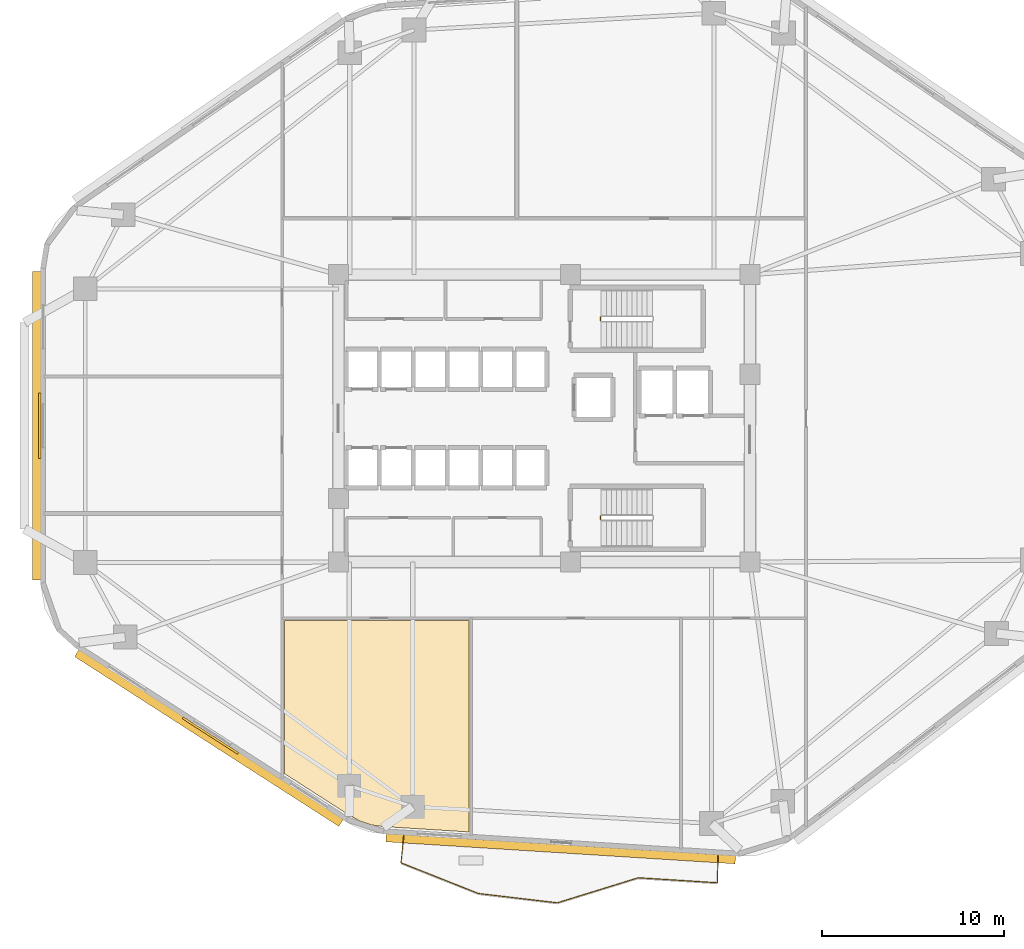
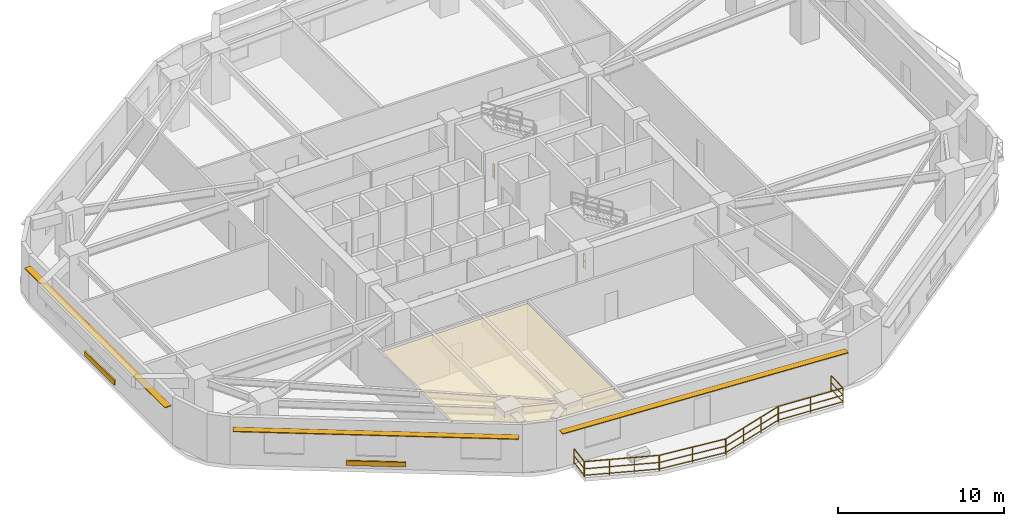
# One storey, part 6 of 8: 8 railings, 5 shading devices, 1 covering.
"""IFC4 building model written with IfcOpenShell, lengths in metres."""

import ifcopenshell
import ifcopenshell.guid

model = None  # the IFC model being written
_history = None  # IfcOwnerHistory: only IFC2X3 demands one
_inside = {}  # id of a spatial element -> (the spatial element, [elements in it])
_under = {}  # id of a project, library or spatial element -> (it, [spatial elements below it])
_declared = {}  # id of a project -> (the project, [libraries it declares])
_typed = {}  # id of a type object -> (the type object, [elements of that type])
_made_of = {}  # id of a material, layer set ... -> (it, [elements and type objects made of it])


def new_model(schema):
    """Start an empty IFC model of exactly this schema.

    Asked for "IFC4X3", IfcOpenShell would pick the latest addendum, in which some entities
    have other attributes; the version numbers below select the first issue.
    IFC2X3 requires an IfcOwnerHistory on every rooted entity: one is made here for all.
    """
    global model, _history
    if schema == "IFC4X3":
        model = ifcopenshell.file(schema_version=(4, 3, 0, 0))
    else:
        model = ifcopenshell.file(schema=schema)
    _inside.clear()
    _under.clear()
    _declared.clear()
    _typed.clear()
    _made_of.clear()
    _history = None
    if model.schema == "IFC2X3":
        org = make("IfcOrganization", Name="unknown")
        user = make(
            "IfcPersonAndOrganization",
            ThePerson=make("IfcPerson", FamilyName="unknown"),
            TheOrganization=org,
        )
        app = make(
            "IfcApplication",
            ApplicationDeveloper=org,
            Version="unknown",
            ApplicationFullName="unknown",
            ApplicationIdentifier="unknown",
        )
        _history = make(
            "IfcOwnerHistory",
            OwningUser=user,
            OwningApplication=app,
            ChangeAction="ADDED",
            CreationDate=0,
        )
    return model


def make(cls, **values):
    """One entity of the class cls with the attributes given. An attribute that is None is left unset."""
    return model.create_entity(
        cls, **{name: value for name, value in values.items() if value is not None}
    )


def rooted(cls, **values):
    """An entity with a GlobalId (a new one), such as an element, a storey or a relation."""
    return make(cls, GlobalId=ifcopenshell.guid.new(), OwnerHistory=_history, **values)


def si_unit(unit_type, name, prefix=None):
    """IfcSIUnit, for example si_unit("LENGTHUNIT", "METRE", prefix="MILLI")."""
    return make("IfcSIUnit", UnitType=unit_type, Prefix=prefix, Name=name)


def assignment(units):
    """IfcUnitAssignment: the units of a project."""
    return None if units is None else make("IfcUnitAssignment", Units=units)


def point(xyz):
    """IfcCartesianPoint."""
    return None if xyz is None else make("IfcCartesianPoint", Coordinates=xyz)


def direction(xyz):
    """IfcDirection."""
    return None if xyz is None else make("IfcDirection", DirectionRatios=xyz)


def frame(location, z_axis=None, x_axis=None):
    """IfcAxis2Placement3D, a coordinate frame: its origin and axes. An axis left out is left unset."""
    return make(
        "IfcAxis2Placement3D",
        Location=point(location),
        Axis=direction(z_axis),
        RefDirection=direction(x_axis),
    )


def frame_2d(location, x_axis=None):
    """IfcAxis2Placement2D, a coordinate frame in the plane: its origin and x axis."""
    return make(
        "IfcAxis2Placement2D", Location=point(location), RefDirection=direction(x_axis)
    )


def origin():
    """The frame at (0, 0, 0) with its axes left unset."""
    return frame((0.0, 0.0, 0.0))


def origin_2d():
    """The frame at (0, 0) in the plane with its x axis left unset."""
    return frame_2d((0.0, 0.0))


def place(relative_to, where):
    """IfcLocalPlacement: puts the frame where relative to a parent placement (None: the world)."""
    return make(
        "IfcLocalPlacement", PlacementRelTo=relative_to, RelativePlacement=where
    )


def context(
    kind, dimensions, precision=None, world=None, true_north=None, identifier=None
):
    """IfcGeometricRepresentationContext, for example the 3D "Model" context."""
    return make(
        "IfcGeometricRepresentationContext",
        ContextIdentifier=identifier,
        ContextType=kind,
        CoordinateSpaceDimension=dimensions,
        Precision=precision,
        WorldCoordinateSystem=world,
        TrueNorth=true_north,
    )


def subcontext(parent, identifier, kind, view, scale=None):
    """IfcGeometricRepresentationSubContext, for example "Body" below "Model"."""
    return make(
        "IfcGeometricRepresentationSubContext",
        ContextIdentifier=identifier,
        ContextType=kind,
        ParentContext=parent,
        TargetScale=scale,
        TargetView=view,
    )


def project(units=None, contexts=None):
    """IfcProject with its units and contexts."""
    return rooted(
        "IfcProject",
        Name="project",
        RepresentationContexts=contexts,
        UnitsInContext=assignment(units),
    )


def spatial(cls, under=None, at=None, **own):
    """A site, building, storey or space (cls), placed at a placement, below another one or the project."""
    s = rooted(cls, ObjectPlacement=at, **own)
    if under is not None:
        _under.setdefault(under.id(), (under, []))[1].append(s)
    return s


def polyline(points):
    """IfcPolyline through the points."""
    return make("IfcPolyline", Points=[point(p) for p in points])


def profile(cls, at=None, kind="AREA", **sizes):
    """A parametric profile (cls). Its sizes go by their IFC names, for example OverallWidth=200.0."""
    return make(cls, ProfileType=kind, Position=at, **sizes)


def rectangle(**sizes):
    """IfcRectangleProfileDef."""
    return profile("IfcRectangleProfileDef", **sizes)


def outline(outer, holes=None, kind="AREA"):
    """IfcArbitraryClosedProfileDef: a profile drawn as a closed curve; with holes, ...WithVoids."""
    if holes is None:
        return make("IfcArbitraryClosedProfileDef", ProfileType=kind, OuterCurve=outer)
    return make(
        "IfcArbitraryProfileDefWithVoids",
        ProfileType=kind,
        OuterCurve=outer,
        InnerCurves=holes,
    )


def extrude(swept, where, along, depth):
    """IfcExtrudedAreaSolid: the profile swept, set in the frame where, extruded along a direction by depth."""
    return make(
        "IfcExtrudedAreaSolid",
        SweptArea=swept,
        Position=where,
        ExtrudedDirection=direction(along),
        Depth=depth,
    )


def shape(context_of_items, identifier, shape_type, items):
    """IfcShapeRepresentation: the items that make up one representation, for example the "Body"."""
    return make(
        "IfcShapeRepresentation",
        ContextOfItems=context_of_items,
        RepresentationIdentifier=identifier,
        RepresentationType=shape_type,
        Items=items,
    )


def material(Name=None, Category=None):
    """IfcMaterial."""
    return make("IfcMaterial", Name=Name, Category=Category)


def layer(
    of_material, thickness, ventilated=None, Name=None, Category=None, Priority=None
):
    """IfcMaterialLayer: one layer of a wall or slab, of a material (None: an air gap)."""
    return make(
        "IfcMaterialLayer",
        Material=of_material,
        LayerThickness=thickness,
        IsVentilated=ventilated,
        Name=Name,
        Category=Category,
        Priority=Priority,
    )


def layer_set(layers, Name=None):
    """IfcMaterialLayerSet."""
    return make("IfcMaterialLayerSet", MaterialLayers=layers, LayerSetName=Name)


def made_of(thing, what):
    """Note that an element or type object is made of a material, layer set ...; save() writes the relation."""
    if what is not None:
        _made_of.setdefault(what.id(), (what, []))[1].append(thing)
    return thing


def type_object(cls, material=None, **own):
    """A type object (cls), such as IfcWallType, which elements share."""
    return made_of(rooted(cls, **own), material)


def element(
    cls,
    number,
    at=None,
    inside=None,
    cuts=None,
    type_object=None,
    material=None,
    context=None,
    identifier="Body",
    shape_type=None,
    held_by="IfcProductDefinitionShape",
    body=None,
    shapes=None,
    **own,
):
    """One element of the class cls, such as IfcWall. Its Tag is "e" and its number.

    at: its placement. inside: the storey or other place that contains it. cuts: it is an
    opening in that element (IfcRelVoidsElement). A single representation is given by context,
    identifier, shape_type and body (its items); several are given by shapes. held_by: the class
    of the entity that holds the representations. save() writes the other relations.
    """
    e = rooted(cls, Tag="e%d" % number, ObjectPlacement=at, **own)
    if body is not None:
        shapes = [shape(context, identifier, shape_type, body)]
    if shapes is not None:
        e.Representation = make(held_by, Representations=shapes)
    if inside is not None:
        _inside.setdefault(inside.id(), (inside, []))[1].append(e)
    if cuts is not None:
        rooted(
            "IfcRelVoidsElement", RelatingBuildingElement=cuts, RelatedOpeningElement=e
        )
    if type_object is not None:
        _typed.setdefault(type_object.id(), (type_object, []))[1].append(e)
    return made_of(e, material)


def aggregate(whole, parts):
    """IfcRelAggregates: a whole, such as a stair, and the parts it consists of."""
    return rooted("IfcRelAggregates", RelatingObject=whole, RelatedObjects=parts)


def save(model, path):
    """Write the relations noted so far, then the file.

    IfcRelAggregates (storeys below a building ...), IfcRelContainedInSpatialStructure (elements
    in a storey), IfcRelDefinesByType, IfcRelAssociatesMaterial and IfcRelDeclares: one each for
    every whole, place, type object, material and project.
    """
    for whole, parts in _under.values():
        aggregate(whole, parts)
    for where, things in _inside.values():
        rooted(
            "IfcRelContainedInSpatialStructure",
            RelatedElements=things,
            RelatingStructure=where,
        )
    for kind, things in _typed.values():
        rooted("IfcRelDefinesByType", RelatedObjects=things, RelatingType=kind)
    for what, things in _made_of.values():
        rooted("IfcRelAssociatesMaterial", RelatedObjects=things, RelatingMaterial=what)
    for by, libraries in _declared.values():
        rooted("IfcRelDeclares", RelatingContext=by, RelatedDefinitions=libraries)
    model.write(path)


model = new_model("IFC4")

# Units and contexts
model_context = context("Model", 3, precision=1e-05, world=origin(), true_north=direction((0.0, 1.0)))
body_context = subcontext(model_context, "Body", "Model", "MODEL_VIEW")
ifc_project = project(units=[si_unit("LENGTHUNIT", "METRE"), si_unit("AREAUNIT", "SQUARE_METRE"), si_unit("VOLUMEUNIT", "CUBIC_METRE"), si_unit("PLANEANGLEUNIT", "RADIAN"), si_unit("MASSUNIT", "GRAM", prefix="KILO")], contexts=[model_context])

# Site, building, storey
site_placement = place(None, origin())
site = spatial("IfcSite", under=ifc_project, at=site_placement, CompositionType="ELEMENT")
building_placement = place(site_placement, origin())
building = spatial("IfcBuilding", under=site, at=building_placement, Name="Zulverin Broadcast Headquarters", CompositionType="ELEMENT")
storey_placement = place(building_placement, frame((0.0, 0.0, 44.0)))
storey = spatial("IfcBuildingStorey", under=building, at=storey_placement, Name="L10", CompositionType="ELEMENT", Elevation=44.0)

# Covering
ifc_material_1 = material(Name="Perforated pale-metal acoustic baffle ceiling", Category="aluminium")
ifc_layer_1 = layer(ifc_material_1, 0.0400390625, Name="Perforated pale-metal acoustic baffle ceiling", Category="aluminium")
ifc_layer_set_1 = layer_set([ifc_layer_1], Name="Perforated pale-metal acoustic baffle ceiling")
covering_type = type_object("IfcCoveringType", Name="COV-CEIL-ACOU", PredefinedType="CEILING", material=ifc_layer_set_1)
covering_placement = place(storey_placement, frame((0.0, 0.0, 3.344970703125)))
element("IfcCovering", 1, at=covering_placement, inside=storey, type_object=covering_type, Name="L10 Acoustic Baffle Ceiling 03", PredefinedType="CEILING", context=body_context, shape_type="SweptSolid", body=[
    extrude(outline(polyline([(22.77197265625, 14.132080078125), (22.77197265625, 5.73193359375), (26.347900390625, 3.43603515625), (26.931884765625, 3.1279296875), (27.5439453125, 2.924072265625), (28.19189453125, 2.83203125), (32.8798828125, 2.535888671875), (32.8798828125, 14.132080078125), (22.77197265625, 14.132080078125)])), origin(), (0.0, 0.0, 1.0), 0.0400390625),
])

# Railings
ifc_material_2 = material(Name="Brushed stainless steel & laminated glass balustrade", Category="steel")
railing_type_1 = type_object("IfcRailingType", Name="RL-GUARD-1150", PredefinedType="GUARDRAIL", material=ifc_material_2)
railing_1_placement = place(storey_placement, frame((29.3076171875, 2.318603515625, 0.0)))
element("IfcRailing", 2, at=railing_1_placement, inside=storey, type_object=railing_type_1, Name="L10 Vertical-Forest Balcony Guardrail BAL_S Segment 01", PredefinedType="GUARDRAIL", context=body_context, shape_type="SweptSolid", body=[
    extrude(rectangle(XDim=0.048095703125, YDim=0.048095703125, at=origin_2d()), frame((0.0, 0.0, 1.1259765625), z_axis=(-0.103228615139, -0.99465765619, 0.0), x_axis=(0.99465765619, -0.103228615139, 0.0)), (0.0, 0.0, 1.0), 1.46630859375),
    extrude(rectangle(XDim=0.0419921875, YDim=0.0419921875, at=origin_2d()), frame((0.0, 0.0, 0.597900390625), z_axis=(-0.103228615139, -0.99465765619, 0.0), x_axis=(0.99465765619, -0.103228615139, 0.0)), (0.0, 0.0, 1.0), 1.46630859375),
    extrude(rectangle(XDim=0.0419921875, YDim=0.0419921875, at=origin_2d()), frame((0.0, 0.0, 0.1201171875), z_axis=(-0.103228615139, -0.99465765619, 0.0), x_axis=(0.99465765619, -0.103228615139, 0.0)), (0.0, 0.0, 1.0), 1.46630859375),
    extrude(rectangle(XDim=0.0419921875, YDim=0.0419921875, at=origin_2d()), origin(), (0.0, 0.0, 1.0), 1.101806640625),
    extrude(rectangle(XDim=0.0419921875, YDim=0.0419921875, at=origin_2d()), frame((-0.1513671875, -1.45849609375, 0.0)), (0.0, 0.0, 1.0), 1.101806640625),
])
railing_2_placement = place(storey_placement, frame((29.16845703125, 0.839599609375, 0.0)))
element("IfcRailing", 3, at=railing_2_placement, inside=storey, type_object=railing_type_1, Name="L10 Vertical-Forest Balcony Guardrail BAL_S Segment 02", PredefinedType="GUARDRAIL", context=body_context, shape_type="SweptSolid", body=[
    extrude(rectangle(XDim=0.048095703125, YDim=0.048095703125, at=origin_2d()), frame((0.0, 0.0, 1.1259765625), z_axis=(0.929703399222, -0.368309095022, 0.0), x_axis=(0.368309095022, 0.929703399222, 0.0)), (0.0, 0.0, 1.0), 4.5380859375),
    extrude(rectangle(XDim=0.0419921875, YDim=0.0419921875, at=origin_2d()), frame((0.0, 0.0, 0.597900390625), z_axis=(0.929703399222, -0.368309095022, 0.0), x_axis=(0.368309095022, 0.929703399222, 0.0)), (0.0, 0.0, 1.0), 4.5380859375),
    extrude(rectangle(XDim=0.0419921875, YDim=0.0419921875, at=origin_2d()), frame((0.0, 0.0, 0.1201171875), z_axis=(0.929703399222, -0.368309095022, 0.0), x_axis=(0.368309095022, 0.929703399222, 0.0)), (0.0, 0.0, 1.0), 4.5380859375),
    extrude(rectangle(XDim=0.0419921875, YDim=0.0419921875, at=origin_2d()), origin(), (0.0, 0.0, 1.0), 1.101806640625),
    extrude(rectangle(XDim=0.0419921875, YDim=0.0419921875, at=origin_2d()), frame((1.40625, -0.55712890625, 0.0)), (0.0, 0.0, 1.0), 1.101806640625),
    extrude(rectangle(XDim=0.0419921875, YDim=0.0419921875, at=origin_2d()), frame((2.812744140625, -1.1142578125, 0.0)), (0.0, 0.0, 1.0), 1.101806640625),
    extrude(rectangle(XDim=0.0419921875, YDim=0.0419921875, at=origin_2d()), frame((4.218994140625, -1.67138671875, 0.0)), (0.0, 0.0, 1.0), 1.101806640625),
])
railing_3_placement = place(storey_placement, frame((33.416259765625, -0.839111328125, 0.0)))
element("IfcRailing", 4, at=railing_3_placement, inside=storey, type_object=railing_type_1, Name="L10 Vertical-Forest Balcony Guardrail BAL_S Segment 03", PredefinedType="GUARDRAIL", context=body_context, shape_type="SweptSolid", body=[
    extrude(rectangle(XDim=0.048095703125, YDim=0.048095703125, at=origin_2d()), frame((0.0, 0.0, 1.1259765625), z_axis=(0.993075962684, -0.117473964519, 0.0), x_axis=(0.117473964519, 0.993075962684, 0.0)), (0.0, 0.0, 1.0), 4.32080078125),
    extrude(rectangle(XDim=0.0419921875, YDim=0.0419921875, at=origin_2d()), frame((0.0, 0.0, 0.597900390625), z_axis=(0.993075962684, -0.117473964519, 0.0), x_axis=(0.117473964519, 0.993075962684, 0.0)), (0.0, 0.0, 1.0), 4.32080078125),
    extrude(rectangle(XDim=0.0419921875, YDim=0.0419921875, at=origin_2d()), frame((0.0, 0.0, 0.1201171875), z_axis=(0.993075962684, -0.117473964519, 0.0), x_axis=(0.117473964519, 0.993075962684, 0.0)), (0.0, 0.0, 1.0), 4.32080078125),
    extrude(rectangle(XDim=0.0419921875, YDim=0.0419921875, at=origin_2d()), origin(), (0.0, 0.0, 1.0), 1.101806640625),
    extrude(rectangle(XDim=0.0419921875, YDim=0.0419921875, at=origin_2d()), frame((2.1455078125, -0.25390625, 0.0)), (0.0, 0.0, 1.0), 1.101806640625),
    extrude(rectangle(XDim=0.0419921875, YDim=0.0419921875, at=origin_2d()), frame((4.290771484375, -0.507568359375, 0.0)), (0.0, 0.0, 1.0), 1.101806640625),
])
railing_4_placement = place(storey_placement, frame((37.736328125, -1.343994140625, 0.0)))
element("IfcRailing", 5, at=railing_4_placement, inside=storey, type_object=railing_type_1, Name="L10 Vertical-Forest Balcony Guardrail BAL_S Segment 04", PredefinedType="GUARDRAIL", context=body_context, shape_type="SweptSolid", body=[
    extrude(rectangle(XDim=0.048095703125, YDim=0.048095703125, at=origin_2d()), frame((0.0, 0.0, 1.1259765625), z_axis=(0.955333175292, 0.295530919173, 0.0), x_axis=(-0.295530919173, 0.955333175292, 0.0)), (0.0, 0.0, 1.0), 4.6171875),
    extrude(rectangle(XDim=0.0419921875, YDim=0.0419921875, at=origin_2d()), frame((0.0, 0.0, 0.597900390625), z_axis=(0.955333175292, 0.295530919173, 0.0), x_axis=(-0.295530919173, 0.955333175292, 0.0)), (0.0, 0.0, 1.0), 4.6171875),
    extrude(rectangle(XDim=0.0419921875, YDim=0.0419921875, at=origin_2d()), frame((0.0, 0.0, 0.1201171875), z_axis=(0.955333175292, 0.295530919173, 0.0), x_axis=(-0.295530919173, 0.955333175292, 0.0)), (0.0, 0.0, 1.0), 4.6171875),
    extrude(rectangle(XDim=0.0419921875, YDim=0.0419921875, at=origin_2d()), origin(), (0.0, 0.0, 1.0), 1.101806640625),
    extrude(rectangle(XDim=0.0419921875, YDim=0.0419921875, at=origin_2d()), frame((1.47021484375, 0.454833984375, 0.0)), (0.0, 0.0, 1.0), 1.101806640625),
    extrude(rectangle(XDim=0.0419921875, YDim=0.0419921875, at=origin_2d()), frame((2.940673828125, 0.90966796875, 0.0)), (0.0, 0.0, 1.0), 1.101806640625),
    extrude(rectangle(XDim=0.0419921875, YDim=0.0419921875, at=origin_2d()), frame((4.410888671875, 1.364501953125, 0.0)), (0.0, 0.0, 1.0), 1.101806640625),
])
railing_5_placement = place(storey_placement, frame((42.176513671875, 0.02392578125, 0.0)))
element("IfcRailing", 6, at=railing_5_placement, inside=storey, type_object=railing_type_1, Name="L10 Vertical-Forest Balcony Guardrail BAL_S Segment 05", PredefinedType="GUARDRAIL", context=body_context, shape_type="SweptSolid", body=[
    extrude(rectangle(XDim=0.048095703125, YDim=0.048095703125, at=origin_2d()), frame((0.0, 0.0, 1.1259765625), z_axis=(0.998014521316, -0.062984245987, 0.0), x_axis=(0.062984245987, 0.998014521316, 0.0)), (0.0, 0.0, 1.0), 4.314208984375),
    extrude(rectangle(XDim=0.0419921875, YDim=0.0419921875, at=origin_2d()), frame((0.0, 0.0, 0.597900390625), z_axis=(0.998014521316, -0.062984245987, 0.0), x_axis=(0.062984245987, 0.998014521316, 0.0)), (0.0, 0.0, 1.0), 4.314208984375),
    extrude(rectangle(XDim=0.0419921875, YDim=0.0419921875, at=origin_2d()), frame((0.0, 0.0, 0.1201171875), z_axis=(0.998014521316, -0.062984245987, 0.0), x_axis=(0.062984245987, 0.998014521316, 0.0)), (0.0, 0.0, 1.0), 4.314208984375),
    extrude(rectangle(XDim=0.0419921875, YDim=0.0419921875, at=origin_2d()), origin(), (0.0, 0.0, 1.0), 1.101806640625),
    extrude(rectangle(XDim=0.0419921875, YDim=0.0419921875, at=origin_2d()), frame((2.15283203125, -0.1357421875, 0.0)), (0.0, 0.0, 1.0), 1.101806640625),
    extrude(rectangle(XDim=0.0419921875, YDim=0.0419921875, at=origin_2d()), frame((4.3056640625, -0.271728515625, 0.0)), (0.0, 0.0, 1.0), 1.101806640625),
])
railing_6_placement = place(storey_placement, frame((46.497314453125, -0.233642578125, 0.0)))
element("IfcRailing", 7, at=railing_6_placement, inside=storey, type_object=railing_type_1, Name="L10 Vertical-Forest Balcony Guardrail BAL_S Segment 06", PredefinedType="GUARDRAIL", context=body_context, shape_type="SweptSolid", body=[
    extrude(rectangle(XDim=0.048095703125, YDim=0.048095703125, at=origin_2d()), frame((0.0, 0.0, 1.1259765625), z_axis=(0.022641987457, 0.999743637341, 0.0), x_axis=(-0.999743637341, 0.022641987457, 0.0)), (0.0, 0.0, 1.0), 1.466552734375),
    extrude(rectangle(XDim=0.0419921875, YDim=0.0419921875, at=origin_2d()), frame((0.0, 0.0, 0.597900390625), z_axis=(0.022641987457, 0.999743637341, 0.0), x_axis=(-0.999743637341, 0.022641987457, 0.0)), (0.0, 0.0, 1.0), 1.466552734375),
    extrude(rectangle(XDim=0.0419921875, YDim=0.0419921875, at=origin_2d()), frame((0.0, 0.0, 0.1201171875), z_axis=(0.022641987457, 0.999743637341, 0.0), x_axis=(-0.999743637341, 0.022641987457, 0.0)), (0.0, 0.0, 1.0), 1.466552734375),
    extrude(rectangle(XDim=0.0419921875, YDim=0.0419921875, at=origin_2d()), origin(), (0.0, 0.0, 1.0), 1.101806640625),
    extrude(rectangle(XDim=0.0419921875, YDim=0.0419921875, at=origin_2d()), frame((0.033203125, 1.466064453125, 0.0)), (0.0, 0.0, 1.0), 1.101806640625),
])
ifc_material_3 = material(Name="Painted galvanized steel tubular guardrail S355JR", Category="steel")
railing_type_2 = type_object("IfcRailingType", Name="RL-ST-GUARD", PredefinedType="GUARDRAIL", material=ifc_material_3)
railing_7_placement = place(storey_placement, frame((40.080078125, 30.550048828125, 0.0)))
element("IfcRailing", 8, at=railing_7_placement, inside=storey, type_object=railing_type_2, Name="L10 ST-1 stair guard 4", PredefinedType="GUARDRAIL", context=body_context, shape_type="SweptSolid", body=[
    extrude(rectangle(XDim=0.048095703125, YDim=0.048095703125, at=origin_2d()), frame((0.0, 0.0, 1.076171875), z_axis=(0.0, 1.0, 0.0), x_axis=(-1.0, 0.0, 0.0)), (0.0, 0.0, 1.0), 0.199951171875),
    extrude(rectangle(XDim=0.0419921875, YDim=0.0419921875, at=origin_2d()), frame((0.0, 0.0, 0.572021484375), z_axis=(0.0, 1.0, 0.0), x_axis=(-1.0, 0.0, 0.0)), (0.0, 0.0, 1.0), 0.199951171875),
    extrude(rectangle(XDim=0.0419921875, YDim=0.0419921875, at=origin_2d()), frame((0.0, 0.0, 0.1201171875), z_axis=(0.0, 1.0, 0.0), x_axis=(-1.0, 0.0, 0.0)), (0.0, 0.0, 1.0), 0.199951171875),
    extrude(rectangle(XDim=0.0419921875, YDim=0.0419921875, at=origin_2d()), origin(), (0.0, 0.0, 1.0), 1.052001953125),
    extrude(rectangle(XDim=0.0419921875, YDim=0.0419921875, at=origin_2d()), frame((0.0, 0.199951171875, 0.0)), (0.0, 0.0, 1.0), 1.052001953125),
])
railing_8_placement = place(storey_placement, frame((40.080078125, 19.64990234375, 0.0)))
element("IfcRailing", 9, at=railing_8_placement, inside=storey, type_object=railing_type_2, Name="L10 ST-2 stair guard 4", PredefinedType="GUARDRAIL", context=body_context, shape_type="SweptSolid", body=[
    extrude(rectangle(XDim=0.048095703125, YDim=0.048095703125, at=origin_2d()), frame((0.0, 0.0, 1.076171875), z_axis=(0.0, 1.0, 0.0), x_axis=(-1.0, 0.0, 0.0)), (0.0, 0.0, 1.0), 0.2001953125),
    extrude(rectangle(XDim=0.0419921875, YDim=0.0419921875, at=origin_2d()), frame((0.0, 0.0, 0.572021484375), z_axis=(0.0, 1.0, 0.0), x_axis=(-1.0, 0.0, 0.0)), (0.0, 0.0, 1.0), 0.2001953125),
    extrude(rectangle(XDim=0.0419921875, YDim=0.0419921875, at=origin_2d()), frame((0.0, 0.0, 0.1201171875), z_axis=(0.0, 1.0, 0.0), x_axis=(-1.0, 0.0, 0.0)), (0.0, 0.0, 1.0), 0.2001953125),
    extrude(rectangle(XDim=0.0419921875, YDim=0.0419921875, at=origin_2d()), origin(), (0.0, 0.0, 1.0), 1.052001953125),
    extrude(rectangle(XDim=0.0419921875, YDim=0.0419921875, at=origin_2d()), frame((0.0, 0.2001953125, 0.0)), (0.0, 0.0, 1.0), 1.052001953125),
])

# Shading devices
ifc_material_4 = material(Name="Anodized pale-metal aluminium acoustic louvre", Category="aluminium")
shading_device_type_1 = type_object("IfcShadingDeviceType", Name="SHD-LOUVRE-350", PredefinedType="USERDEFINED", material=ifc_material_4)
for number, where, z_axis, x_axis, name in (
    (10, (9.360107421875, 24.7939453125, 0.244873046875), (0.0, 0.0, 1.0), (0.0, -1.0, 0.0), "L10 Spandrel Intake Louvre 7"),
    (11, (18.71630859375, 7.816162109375, 0.244873046875), (0.0, 0.0, 1.0), (0.841296678234, -0.540573676007, 0.0), "L10 Spandrel Intake Louvre 8"),
):
    element("IfcShadingDevice", number, at=place(storey_placement, frame(where, z_axis=z_axis, x_axis=x_axis)), inside=storey, type_object=shading_device_type_1, Name=name, ObjectType="LOUVRE", PredefinedType="USERDEFINED", context=body_context, shape_type="SweptSolid", body=[
        extrude(rectangle(XDim=3.60009765625, YDim=0.1201171875, at=origin_2d()), origin(), (0.0, 0.0, 1.0), 0.35009765625),
    ])
ifc_material_5 = material(Name="Anodized pale-metal aluminium sunshade", Category="aluminium")
ifc_layer_2 = layer(ifc_material_5, 0.06005859375, Name="Anodized pale-metal aluminium sunshade", Category="aluminium")
ifc_layer_set_2 = layer_set([ifc_layer_2], Name="Anodized pale-metal aluminium sunshade")
shading_device_type_2 = type_object("IfcShadingDeviceType", Name="SS-01_PALE_METAL_ALUMINIUM_SUNSHADE", PredefinedType="USERDEFINED", material=ifc_layer_set_2)
shading_device_1_placement = place(storey_placement, frame((37.908935546875, 1.61572265625, 2.7099609375), z_axis=(0.0, 0.0, 1.0), x_axis=(0.998017182581, -0.062942062821, 0.0)))
element("IfcShadingDevice", 12, at=shading_device_1_placement, inside=storey, type_object=shading_device_type_2, Name="L10 Horizontal Pale-Metal Sunshade Band 1", ObjectType="SUNSHADE", PredefinedType="USERDEFINED", context=body_context, shape_type="SweptSolid", body=[
    extrude(rectangle(XDim=19.177001953125, YDim=0.449951171875, at=origin_2d()), origin(), (0.0, 0.0, 1.0), 0.06005859375),
])
shading_device_2_placement = place(storey_placement, frame((9.199951171875, 24.7939453125, 2.7099609375), z_axis=(0.0, 0.0, 1.0), x_axis=(0.0, -1.0, 0.0)))
element("IfcShadingDevice", 13, at=shading_device_2_placement, inside=storey, type_object=shading_device_type_2, Name="L10 Horizontal Pale-Metal Sunshade Band 7", ObjectType="SUNSHADE", PredefinedType="USERDEFINED", context=body_context, shape_type="SweptSolid", body=[
    extrude(rectangle(XDim=16.90087890625, YDim=0.449951171875, at=origin_2d()), origin(), (0.0, 0.0, 1.0), 0.06005859375),
])
shading_device_3_placement = place(storey_placement, frame((18.6298828125, 7.681640625, 2.7099609375), z_axis=(0.0, 0.0, 1.0), x_axis=(0.841296678234, -0.540573676007, 0.0)))
element("IfcShadingDevice", 14, at=shading_device_3_placement, inside=storey, type_object=shading_device_type_2, Name="L10 Horizontal Pale-Metal Sunshade Band 8", ObjectType="SUNSHADE", PredefinedType="USERDEFINED", context=body_context, shape_type="SweptSolid", body=[
    extrude(rectangle(XDim=17.2119140625, YDim=0.449951171875, at=origin_2d()), origin(), (0.0, 0.0, 1.0), 0.06005859375),
])

save(model, "model.ifc")
